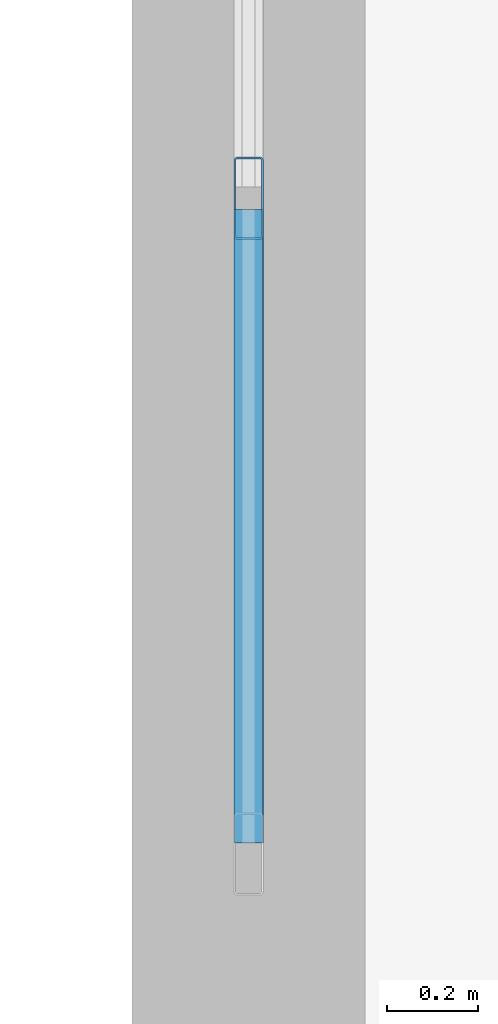
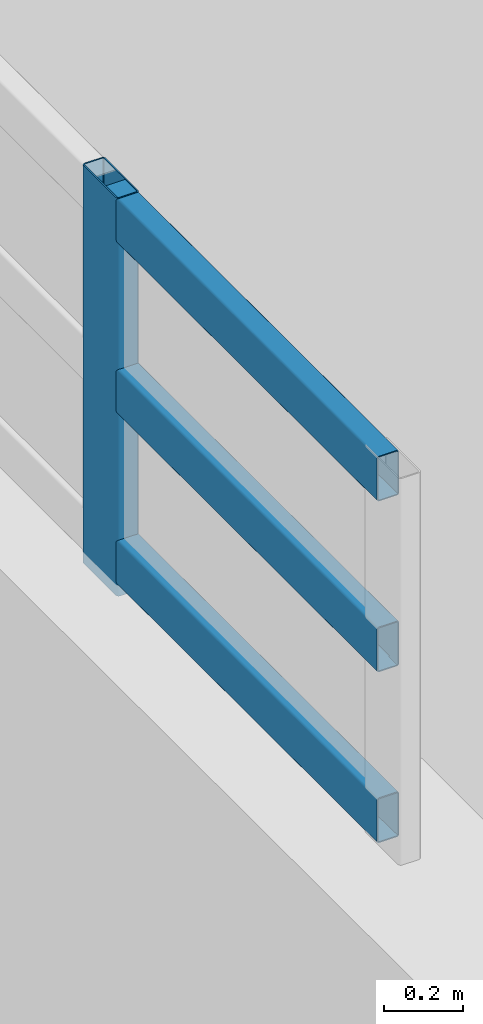
# One storey, part 136 of 197: 4 members, 1 element without a shape of its own.
"""IFC4 building model written with IfcOpenShell, lengths in metres."""

from ifc_helpers import new_model, si_unit, derived_unit, direction, frame, origin, origin_2d, place, context, subcontext, project, spatial, hollow_rectangle, extrude, material, layer, layer_set, material_profile, profile_set, type_object, element, aggregate, save


model = new_model("IFC4")

# Units and contexts
model_context = context("Model", 3, precision=1e-05, world=origin(), true_north=direction((0.0, 1.0)))
body_context = subcontext(model_context, "Body", "Model", "MODEL_VIEW")
ifc_project = project(units=[si_unit("LENGTHUNIT", "METRE"), si_unit("AREAUNIT", "SQUARE_METRE"), si_unit("VOLUMEUNIT", "CUBIC_METRE"), si_unit("PLANEANGLEUNIT", "RADIAN"), si_unit("MASSUNIT", "GRAM", prefix="KILO"), derived_unit("THERMALTRANSMITTANCEUNIT", [(si_unit("POWERUNIT", "WATT"), 1), (si_unit("LENGTHUNIT", "METRE"), -2), (si_unit("THERMODYNAMICTEMPERATUREUNIT", "KELVIN"), -1)])], contexts=[model_context])

# Site, building, storey
site_placement = place(None, origin())
site = spatial("IfcSite", under=ifc_project, at=site_placement, CompositionType="ELEMENT")
building_placement = place(site_placement, origin())
building = spatial("IfcBuilding", under=site, at=building_placement, Name="Almenara Railside Exhibition Hall", CompositionType="ELEMENT")
storey_placement = place(building_placement, frame((0.0, 0.0, 5.39990234375)))
storey = spatial("IfcBuildingStorey", under=building, at=storey_placement, Name="L01", CompositionType="ELEMENT", Elevation=5.39990234375)

# Curtain wall, members
ifc_material_1 = material(Name="Bronze-anodised aluminium and low-E double glazing", Category="aluminium")
ifc_layer = layer(ifc_material_1, 0.179931640625, Name="Bronze-anodised aluminium and low-E double glazing")
ifc_layer_set = layer_set([ifc_layer], Name="Bronze-anodised aluminium and low-E double glazing")
curtain_wall_type = type_object("IfcCurtainWallType", Name="East Hall Clerestory Curtain Wall 4400x2300", PredefinedType="NOTDEFINED", material=ifc_layer_set)
curtain_wall_placement = place(storey_placement, origin())
curtain_wall = element("IfcCurtainWall", 1, at=curtain_wall_placement, inside=storey, type_object=curtain_wall_type, Name="Curtain wall CW-CL3-076", PredefinedType="NOTDEFINED")
ifc_material_2 = material(Name="Bronze-anodised aluminium", Category="aluminium")
ifc_material_profile_1 = material_profile(ifc_material_2, hollow_rectangle(XDim=0.06494140625, YDim=0.179931640625, WallThickness=0.00390625, InnerFilletRadius=0.00390625, OuterFilletRadius=0.008056640625, at=origin_2d()), Name="ALU-MUL 65x180x4")
ifc_profile_set_1 = profile_set([ifc_material_profile_1], Name="Bronze-anodised aluminium")
member_type_1 = type_object("IfcMemberType", Name="Curtain Wall Mullion 65x180x4", PredefinedType="MULLION", material=ifc_profile_set_1)
member_1_placement = place(storey_placement, frame((138.0, 127.2666015625, 5.4150390625), z_axis=(0.0, 0.0, 1.0), x_axis=(-1.0, 0.0, 0.0)))
member_1 = element("IfcMember", 2, at=member_1_placement, type_object=member_type_1, Name="CW-CL3-076 mullion 2", PredefinedType="MULLION", context=body_context, shape_type="SweptSolid", body=[
    extrude(hollow_rectangle(XDim=0.06494140625, YDim=0.179931640625, WallThickness=0.00390625, InnerFilletRadius=0.00390625, OuterFilletRadius=0.008056640625, at=origin_2d()), origin(), (0.0, 0.0, 1.0), 1.235107421875),
])
ifc_material_profile_2 = material_profile(ifc_material_2, hollow_rectangle(XDim=0.06494140625, YDim=0.139892578125, WallThickness=0.00341796875, InnerFilletRadius=0.00341796875, OuterFilletRadius=0.007080078125, at=origin_2d()), Name="ALU-TRN 65x140x3.5")
ifc_profile_set_2 = profile_set([ifc_material_profile_2], Name="Bronze-anodised aluminium")
member_type_2 = type_object("IfcMemberType", Name="Curtain Wall Transom 65x140x3.5", PredefinedType="USERDEFINED", material=ifc_profile_set_2)
member_2_placement = place(storey_placement, frame((138.0, 125.85693359375, 5.52001953125), z_axis=(0.0, 1.0, 0.0), x_axis=(-1.0, 0.0, 0.0)))
member_2 = element("IfcMember", 3, at=member_2_placement, type_object=member_type_2, Name="CW-CL3-076 transom 1.1", ObjectType="TRANSOM", PredefinedType="USERDEFINED", context=body_context, shape_type="SweptSolid", body=[
    extrude(hollow_rectangle(XDim=0.06494140625, YDim=0.139892578125, WallThickness=0.00341796875, InnerFilletRadius=0.00341796875, OuterFilletRadius=0.007080078125, at=origin_2d()), origin(), (0.0, 0.0, 1.0), 1.38525390625),
])
member_3_placement = place(storey_placement, frame((138.0, 125.85693359375, 6.050048828125), z_axis=(0.0, 1.0, 0.0), x_axis=(-1.0, 0.0, 0.0)))
member_3 = element("IfcMember", 4, at=member_3_placement, type_object=member_type_2, Name="CW-CL3-076 transom 1.2", ObjectType="TRANSOM", PredefinedType="USERDEFINED", context=body_context, shape_type="SweptSolid", body=[
    extrude(hollow_rectangle(XDim=0.06494140625, YDim=0.139892578125, WallThickness=0.00341796875, InnerFilletRadius=0.00341796875, OuterFilletRadius=0.007080078125, at=origin_2d()), origin(), (0.0, 0.0, 1.0), 1.38525390625),
])
member_4_placement = place(storey_placement, frame((138.0, 125.85693359375, 6.580078125), z_axis=(0.0, 1.0, 0.0), x_axis=(-1.0, 0.0, 0.0)))
member_4 = element("IfcMember", 5, at=member_4_placement, type_object=member_type_2, Name="CW-CL3-076 transom 1.3", ObjectType="TRANSOM", PredefinedType="USERDEFINED", context=body_context, shape_type="SweptSolid", body=[
    extrude(hollow_rectangle(XDim=0.06494140625, YDim=0.139892578125, WallThickness=0.00341796875, InnerFilletRadius=0.00341796875, OuterFilletRadius=0.007080078125, at=origin_2d()), origin(), (0.0, 0.0, 1.0), 1.38525390625),
])
aggregate(curtain_wall, [member_1, member_2, member_3, member_4])

save(model, "model.ifc")
